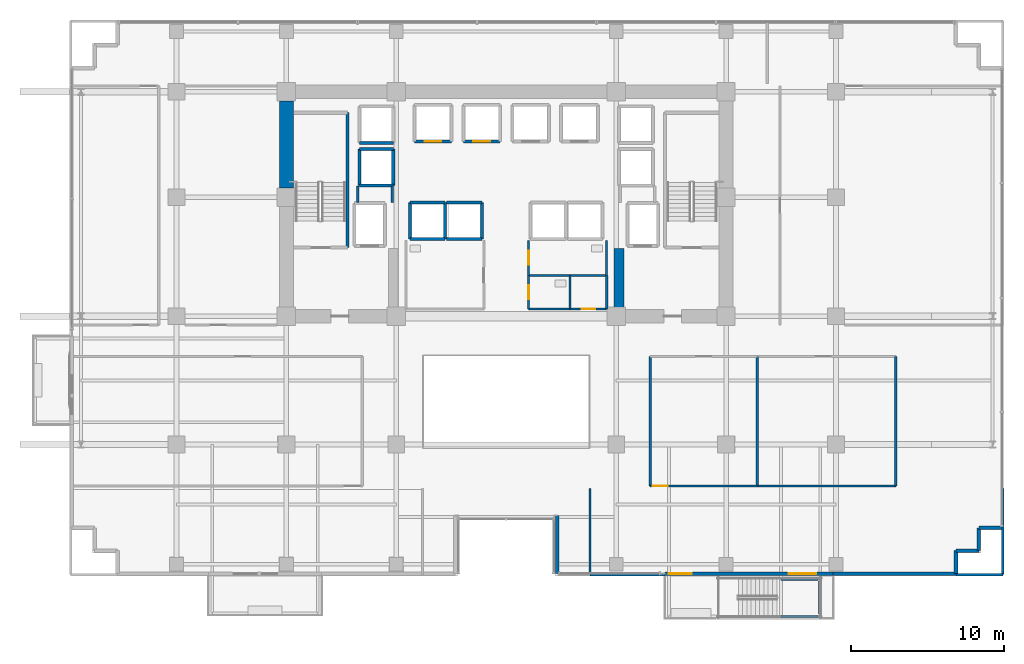
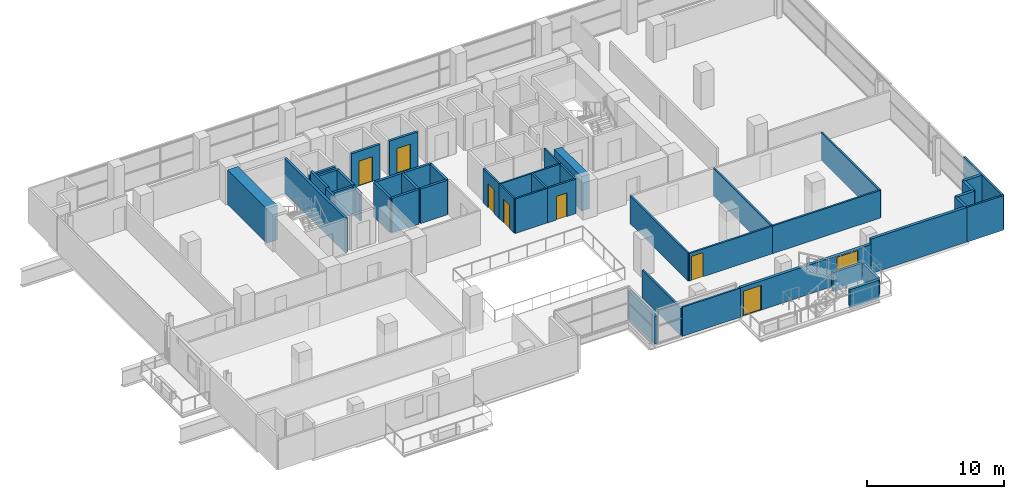
# One storey, part 25 of 31: 46 walls, 7 doors, 1 window, 8 openings.
"""IFC4 building model written with IfcOpenShell, lengths in metres."""

from ifc_helpers import new_model, si_unit, direction, frame, frame_2d, origin, place, context, subcontext, project, spatial, rectangle, extrude, source, transform, mapped, material, layer, layer_set, type_object, element, fill, save


model = new_model("IFC4")

# Units and contexts
model_context = context("Model", 3, precision=1e-05, world=origin(), true_north=direction((0.0, 1.0)))
body_context = subcontext(model_context, "Body", "Model", "MODEL_VIEW")
ifc_project = project(units=[si_unit("LENGTHUNIT", "METRE"), si_unit("AREAUNIT", "SQUARE_METRE"), si_unit("VOLUMEUNIT", "CUBIC_METRE"), si_unit("PLANEANGLEUNIT", "RADIAN"), si_unit("MASSUNIT", "GRAM", prefix="KILO")], contexts=[model_context])

# Site, building, storey
site_placement = place(None, origin())
site = spatial("IfcSite", under=ifc_project, at=site_placement, CompositionType="ELEMENT")
building_placement = place(site_placement, origin())
building = spatial("IfcBuilding", under=site, at=building_placement, Name="Zarnakvel Exchange Tower", CompositionType="ELEMENT")
storey_placement = place(building_placement, frame((0.0, 0.0, 53.800048828125)))
storey = spatial("IfcBuildingStorey", under=building, at=storey_placement, Name="L14", CompositionType="ELEMENT", Elevation=53.800048828125)

# Walls
ifc_material_1 = material(Name="Concrete C80/95", Category="concrete")
ifc_layer_1 = layer(ifc_material_1, 0.89990234375)
ifc_layer_set_1 = layer_set([ifc_layer_1], Name="Concrete C80/95")
wall_type_1 = type_object("IfcWallType", Name="CW-C1", PredefinedType="SHEAR", material=ifc_layer_set_1)
wall_1_placement = place(storey_placement, frame((-14.39990234375, 7.199951171875, 0.0), z_axis=(0.0, 0.0, 1.0), x_axis=(0.0, 1.0, 0.0)))
element("IfcWall", 1, at=wall_1_placement, inside=storey, type_object=wall_type_1, Name="L14 Rear Core Shear Wall W2 (CW-C1)", PredefinedType="SHEAR", context=body_context, shape_type="SweptSolid", body=[
    extrude(rectangle(XDim=5.699951171875, YDim=0.89990234375, at=frame_2d((2.85009765625, 0.0))), origin(), (0.0, 0.0, 1.0), 3.074951171875),
])
ifc_layer_2 = layer(ifc_material_1, 0.64990234375)
ifc_layer_set_2 = layer_set([ifc_layer_2], Name="Concrete C80/95")
wall_type_2 = type_object("IfcWallType", Name="CW-C2", PredefinedType="SHEAR", material=ifc_layer_set_2)
wall_2_placement = place(storey_placement, frame((7.39990234375, -0.75, 0.0), z_axis=(0.0, 0.0, 1.0), x_axis=(0.0, 1.0, 0.0)))
element("IfcWall", 2, at=wall_2_placement, inside=storey, type_object=wall_type_2, Name="L14 Rear Core Shear Wall IE (CW-C2)", PredefinedType="SHEAR", context=body_context, shape_type="SweptSolid", body=[
    extrude(rectangle(XDim=4.0, YDim=0.64990234375, at=frame_2d((2.0, 0.0))), origin(), (0.0, 0.0, 1.0), 3.074951171875),
])

# Wall, openings, door, window
ifc_material_2 = material(Name="Precast concrete C40/50", Category="concrete")
ifc_layer_3 = layer(ifc_material_2, 0.239990234375)
ifc_layer_set_3 = layer_set([ifc_layer_3], Name="Precast concrete C40/50")
wall_type_3 = type_object("IfcWallType", Name="EW-02", PredefinedType="SOLIDWALL", material=ifc_layer_set_3)
wall_3_placement = place(storey_placement, frame((21.39990234375, -18.06005859375, 0.0), z_axis=(0.0, 0.0, 1.0), x_axis=(-1.0, 0.0, 0.0)))
wall_3 = element("IfcWall", 3, at=wall_3_placement, inside=storey, type_object=wall_type_3, Name="L14 Exterior Precast Spandrel Wall EW-SPTER-L14 (EW-02)", PredefinedType="SOLIDWALL", context=body_context, shape_type="SweptSolid", body=[
    extrude(rectangle(XDim=11.0, YDim=0.239990234375, at=frame_2d((5.5, 0.0))), origin(), (0.0, 0.0, 1.0), 2.58984375),
])
opening_1_placement = place(wall_3_placement, frame((9.25, 0.0, 0.0)))
opening_1 = element("IfcOpeningElement", 4, at=opening_1_placement, cuts=wall_3, Name="Opening TD-L14-SP", PredefinedType="OPENING", context=body_context, shape_type="SweptSolid", body=[
    extrude(rectangle(XDim=1.5, YDim=2.199951171875, at=frame_2d((0.75, 1.10009765625))), frame((0.0, 0.1298828125, 0.0), z_axis=(0.0, -1.0, 0.0), x_axis=(1.0, 0.0, 0.0)), (0.0, 0.0, 1.0), 0.260009765625),
])
opening_2_placement = place(wall_3_placement, frame((1.10009765625, 0.0, 0.85009765625)))
opening_2 = element("IfcOpeningElement", 5, at=opening_2_placement, cuts=wall_3, Name="Opening WN-05", PredefinedType="OPENING", context=body_context, shape_type="SweptSolid", body=[
    extrude(rectangle(XDim=1.800048828125, YDim=1.60009765625, at=frame_2d((0.89990234375, 0.800048828125))), frame((0.0, 0.1298828125, 0.0), z_axis=(0.0, -1.0, 0.0), x_axis=(1.0, 0.0, 0.0)), (0.0, 0.0, 1.0), 0.260009765625),
])
ifc_material_3 = material(Name="Architectural Bronze Anodised Aluminium", Category="aluminium")
door_type_1 = type_object("IfcDoorType", Name="DT-10", OperationType="NOTDEFINED", PredefinedType="DOOR", material=ifc_material_3)
shared_shape_1 = source(origin(), body_context, "Body", "SweptSolid", [
    extrude(rectangle(XDim=1.5, YDim=2.199951171875, at=frame_2d((0.75, 1.10009765625))), frame((0.0, 0.02490234375, 0.0), z_axis=(0.0, -1.0, 0.0), x_axis=(1.0, 0.0, 0.0)), (0.0, 0.0, 1.0), 0.050048828125),
])
door_1_placement = place(opening_1_placement, origin())
door_1 = element("IfcDoor", 6, at=door_1_placement, inside=storey, type_object=door_type_1, Name="L14 Spiral Sky-Terrace Access Door TD-L14-SP", OperationType="DOUBLE_DOOR_SINGLE_SWING", OverallHeight=2.199951171875, OverallWidth=1.5, PredefinedType="DOOR", context=body_context, shape_type="MappedRepresentation", body=[
    mapped(shared_shape_1, transform((0.0, 0.0, 0.0), x_axis=(1.0, 0.0, 0.0), y_axis=(0.0, 1.0, 0.0), z_axis=(0.0, 0.0, 1.0), scale=1.0)),
])
fill(opening_1, door_1)
ifc_material_4 = material(Name="Double Low-E Laminated Vision Glass", Category="glass")
window_type = type_object("IfcWindowType", Name="WN-05", PartitioningType="SINGLE_PANEL", PredefinedType="WINDOW", material=ifc_material_4)
shared_shape_2 = source(origin(), body_context, "Body", "SweptSolid", [
    extrude(rectangle(XDim=1.800048828125, YDim=1.60009765625, at=frame_2d((0.89990234375, 0.800048828125))), frame((0.0, 0.030029296875, 0.0), z_axis=(0.0, -1.0, 0.0), x_axis=(1.0, 0.0, 0.0)), (0.0, 0.0, 1.0), 0.06005859375),
])
window_placement = place(opening_2_placement, origin())
window = element("IfcWindow", 7, at=window_placement, inside=storey, type_object=window_type, Name="L14 Spiral Sky-Terrace Lounge Window", OverallHeight=1.60009765625, OverallWidth=1.800048828125, PartitioningType="SINGLE_PANEL", PredefinedType="WINDOW", context=body_context, shape_type="MappedRepresentation", body=[
    mapped(shared_shape_2, transform((0.0, 0.0, 0.0), x_axis=(1.0, 0.0, 0.0), y_axis=(0.0, 1.0, 0.0), z_axis=(0.0, 0.0, 1.0), scale=1.0)),
])
fill(opening_2, window)

# Walls
for number, where, z_axis, x_axis, name in (
    (8, (30.9599609375, -15.06005859375, 0.0), (0.0, 0.0, 1.0), (1.0, 0.0, 0.0), "L14 Exterior Precast Spandrel Wall EWC-L14-11 (EW-02)"),
    (9, (30.9599609375, -16.56005859375, 0.0), (0.0, 0.0, 1.0), (0.0, 1.0, 0.0), "L14 Exterior Precast Spandrel Wall EWC-L14-12 (EW-02)"),
    (10, (29.4599609375, -16.56005859375, 0.0), (0.0, 0.0, 1.0), (1.0, 0.0, 0.0), "L14 Exterior Precast Spandrel Wall EWC-L14-13 (EW-02)"),
    (11, (29.4599609375, -18.06005859375, 0.0), (0.0, 0.0, 1.0), (0.0, 1.0, 0.0), "L14 Exterior Precast Spandrel Wall EWC-L14-14 (EW-02)"),
):
    element("IfcWall", number, at=place(storey_placement, frame(where, z_axis=z_axis, x_axis=x_axis)), inside=storey, type_object=wall_type_3, Name=name, PredefinedType="SOLIDWALL", context=body_context, shape_type="SweptSolid", body=[
        extrude(rectangle(XDim=1.5, YDim=0.239990234375, at=frame_2d((0.75, 0.0))), origin(), (0.0, 0.0, 1.0), 3.074951171875),
    ])
wall_4_placement = place(storey_placement, frame((21.39990234375, -18.06005859375, 0.0), z_axis=(0.0, 0.0, 1.0), x_axis=(1.0, 0.0, 0.0)))
element("IfcWall", 12, at=wall_4_placement, inside=storey, type_object=wall_type_3, Name="L14 Exterior Precast Spandrel Wall EWC-L14-15 (EW-02)", PredefinedType="SOLIDWALL", context=body_context, shape_type="SweptSolid", body=[
    extrude(rectangle(XDim=8.06005859375, YDim=0.239990234375, at=frame_2d((4.030029296875, 0.0))), origin(), (0.0, 0.0, 1.0), 3.074951171875),
])
wall_5_placement = place(storey_placement, frame((3.340087890625, -14.260009765625, 0.0), z_axis=(0.0, 0.0, 1.0), x_axis=(0.0, -1.0, 0.0)))
element("IfcWall", 13, at=wall_5_placement, inside=storey, type_object=wall_type_3, Name="L14 Exterior Precast Spandrel Wall EWC-L14-17 (EW-02)", PredefinedType="SOLIDWALL", context=body_context, shape_type="SweptSolid", body=[
    extrude(rectangle(XDim=3.800048828125, YDim=0.239990234375, at=frame_2d((1.89990234375, 0.0))), origin(), (0.0, 0.0, 1.0), 2.46484375),
])

# Wall, opening, door
ifc_material_5 = material(Name="Fire-Rated Gypsum Stud Partition", Category="gypsum")
ifc_layer_4 = layer(ifc_material_5, 0.14990234375)
ifc_layer_set_4 = layer_set([ifc_layer_4], Name="Fire-Rated Gypsum Stud Partition")
wall_type_4 = type_object("IfcWallType", Name="PT-01", PredefinedType="PARTITIONING", material=ifc_layer_set_4)
wall_6_placement = place(storey_placement, frame((6.580078125, -0.72998046875, 0.0), z_axis=(0.0, 0.0, 1.0), x_axis=(-1.0, 0.0, 0.0)))
wall_6 = element("IfcWall", 14, at=wall_6_placement, inside=storey, type_object=wall_type_4, Name="L14 Partition Wall PWALL-L14-020 (PT-01)", PredefinedType="PARTITIONING", context=body_context, shape_type="SweptSolid", body=[
    extrude(rectangle(XDim=2.400146484375, YDim=0.14990234375, at=frame_2d((1.2001953125, 0.0))), origin(), (0.0, 0.0, 1.0), 3.074951171875),
])
opening_3_placement = place(wall_6_placement, frame((0.760009765625, 0.0, 0.0)))
opening_3 = element("IfcOpeningElement", 15, at=opening_3_placement, cuts=wall_6, Name="Opening D-L14-08", PredefinedType="OPENING", context=body_context, shape_type="SweptSolid", body=[
    extrude(rectangle(XDim=0.8798828125, YDim=2.10009765625, at=frame_2d((0.43994140625, 1.050048828125))), frame((0.0, 0.0849609375, 0.0), z_axis=(0.0, -1.0, 0.0), x_axis=(1.0, 0.0, 0.0)), (0.0, 0.0, 1.0), 0.169921875),
])
ifc_material_6 = material(Name="Painted Galvanised Steel S355", Category="steel")
door_type_2 = type_object("IfcDoorType", Name="DT-08", OperationType="NOTDEFINED", PredefinedType="DOOR", material=ifc_material_6)
shared_shape_3 = source(origin(), body_context, "Body", "SweptSolid", [
    extrude(rectangle(XDim=0.8798828125, YDim=2.10009765625, at=frame_2d((0.43994140625, 1.050048828125))), frame((0.0, 0.02490234375, 0.0), z_axis=(0.0, -1.0, 0.0), x_axis=(1.0, 0.0, 0.0)), (0.0, 0.0, 1.0), 0.050048828125),
])
door_2_placement = place(opening_3_placement, origin())
door_2 = element("IfcDoor", 16, at=door_2_placement, inside=storey, type_object=door_type_2, Name="L14 Cleaners Store Door D-L14-08", OperationType="SINGLE_SWING_RIGHT", OverallHeight=2.10009765625, OverallWidth=0.8798828125, PredefinedType="DOOR", context=body_context, shape_type="MappedRepresentation", body=[
    mapped(shared_shape_3, transform((0.0, 0.0, 0.0), x_axis=(1.0, 0.0, 0.0), y_axis=(0.0, 1.0, 0.0), z_axis=(0.0, 0.0, 1.0), scale=1.0)),
])
fill(opening_3, door_2)

# Wall
wall_7_placement = place(storey_placement, frame((6.580078125, 1.47998046875, 0.0), z_axis=(0.0, 0.0, 1.0), x_axis=(0.0, -1.0, 0.0)))
element("IfcWall", 17, at=wall_7_placement, inside=storey, type_object=wall_type_4, Name="L14 Partition Wall PWALL-L14-021 (PT-01)", PredefinedType="PARTITIONING", context=body_context, shape_type="SweptSolid", body=[
    extrude(rectangle(XDim=2.2099609375, YDim=0.14990234375, at=frame_2d((1.10498046875, 0.0))), origin(), (0.0, 0.0, 1.0), 3.074951171875),
])

# Wall, opening, door
wall_8_placement = place(storey_placement, frame((16.444580078125, -12.320068359375, 0.0), z_axis=(0.0, 0.0, 1.0), x_axis=(-1.0, 0.0, 0.0)))
wall_8 = element("IfcWall", 18, at=wall_8_placement, inside=storey, type_object=wall_type_4, Name="L14 Partition Wall PWALL-L14-029 (PT-01)", PredefinedType="PARTITIONING", context=body_context, shape_type="SweptSolid", body=[
    extrude(rectangle(XDim=7.0146484375, YDim=0.14990234375, at=frame_2d((3.50732421875, 0.0))), origin(), (0.0, 0.0, 1.0), 2.46484375),
])
opening_4_placement = place(wall_8_placement, frame((5.8544921875, 0.0, 0.0)))
opening_4 = element("IfcOpeningElement", 19, at=opening_4_placement, cuts=wall_8, Name="Opening D-L14-13", PredefinedType="OPENING", context=body_context, shape_type="SweptSolid", body=[
    extrude(rectangle(XDim=0.97998046875, YDim=2.14990234375, at=frame_2d((0.489990234375, 1.074951171875))), frame((0.0, 0.0849609375, 0.0), z_axis=(0.0, -1.0, 0.0), x_axis=(1.0, 0.0, 0.0)), (0.0, 0.0, 1.0), 0.169921875),
])
ifc_material_7 = material(Name="Timber Acoustic Veneer", Category="wood")
door_type_3 = type_object("IfcDoorType", Name="DT-05", OperationType="NOTDEFINED", PredefinedType="DOOR", material=ifc_material_7)
shared_shape_4 = source(origin(), body_context, "Body", "SweptSolid", [
    extrude(rectangle(XDim=0.97998046875, YDim=2.14990234375, at=frame_2d((0.489990234375, 1.074951171875))), frame((0.0, 0.02490234375, 0.0), z_axis=(0.0, -1.0, 0.0), x_axis=(1.0, 0.0, 0.0)), (0.0, 0.0, 1.0), 0.050048828125),
])
door_3_placement = place(opening_4_placement, origin())
door_3 = element("IfcDoor", 20, at=door_3_placement, inside=storey, type_object=door_type_3, Name="L14 Brokerage Office Door D-L14-13", OperationType="SINGLE_SWING_LEFT", OverallHeight=2.14990234375, OverallWidth=0.97998046875, PredefinedType="DOOR", context=body_context, shape_type="MappedRepresentation", body=[
    mapped(shared_shape_4, transform((0.0, 0.0, 0.0), x_axis=(1.0, 0.0, 0.0), y_axis=(0.0, 1.0, 0.0), z_axis=(0.0, 0.0, 1.0), scale=1.0)),
])
fill(opening_4, door_3)

# Walls
for number, where, z_axis, x_axis, name in (
    (21, (9.429931640625, -12.320068359375, 0.0), (0.0, 0.0, 1.0), (0.0, 1.0, 0.0), "L14 Partition Wall PWALL-L14-031 (PT-01)"),
    (22, (16.444580078125, -3.830078125, 0.0), (0.0, 0.0, 1.0), (0.0, -1.0, 0.0), "L14 Partition Wall PWALL-L14-032 (PT-01)"),
):
    element("IfcWall", number, at=place(storey_placement, frame(where, z_axis=z_axis, x_axis=x_axis)), inside=storey, type_object=wall_type_4, Name=name, PredefinedType="PARTITIONING", context=body_context, shape_type="SweptSolid", body=[
        extrude(rectangle(XDim=8.489990234375, YDim=0.14990234375, at=frame_2d((4.2451171875, 0.0))), origin(), (0.0, 0.0, 1.0), 2.46484375),
    ])
wall_9_placement = place(storey_placement, frame((25.515380859375, -12.320068359375, 0.0), z_axis=(0.0, 0.0, 1.0), x_axis=(-1.0, 0.0, 0.0)))
element("IfcWall", 23, at=wall_9_placement, inside=storey, type_object=wall_type_4, Name="L14 Partition Wall PWALL-L14-033 (PT-01)", PredefinedType="PARTITIONING", context=body_context, shape_type="SweptSolid", body=[
    extrude(rectangle(XDim=9.07080078125, YDim=0.14990234375, at=frame_2d((4.535400390625, 0.0))), origin(), (0.0, 0.0, 1.0), 2.46484375),
])
wall_10_placement = place(storey_placement, frame((25.515380859375, -3.830078125, 0.0), z_axis=(0.0, 0.0, 1.0), x_axis=(0.0, -1.0, 0.0)))
element("IfcWall", 24, at=wall_10_placement, inside=storey, type_object=wall_type_4, Name="L14 Partition Wall PWALL-L14-035 (PT-01)", PredefinedType="PARTITIONING", context=body_context, shape_type="SweptSolid", body=[
    extrude(rectangle(XDim=8.489990234375, YDim=0.14990234375, at=frame_2d((4.2451171875, 0.0))), origin(), (0.0, 0.0, 1.0), 2.46484375),
])
wall_11_placement = place(storey_placement, frame((10.39990234375, -18.1298828125, 0.0), z_axis=(0.0, 0.0, 1.0), x_axis=(-1.0, 0.0, 0.0)))
element("IfcWall", 25, at=wall_11_placement, inside=storey, type_object=wall_type_4, Name="L14 Partition Wall PWALL-L14-036 (PT-01)", PredefinedType="PARTITIONING", context=body_context, shape_type="SweptSolid", body=[
    extrude(rectangle(XDim=4.919921875, YDim=0.14990234375, at=frame_2d((2.4599609375, 0.0))), origin(), (0.0, 0.0, 1.0), 2.58984375),
])
wall_12_placement = place(storey_placement, frame((32.530029296875, -18.1298828125, 0.0), z_axis=(0.0, 0.0, 1.0), x_axis=(-1.0, 0.0, 0.0)))
element("IfcWall", 26, at=wall_12_placement, inside=storey, type_object=wall_type_4, Name="L14 Partition Wall PWALL-L14-037 (PT-01)", PredefinedType="PARTITIONING", context=body_context, shape_type="SweptSolid", body=[
    extrude(rectangle(XDim=3.070068359375, YDim=0.14990234375, at=frame_2d((1.53515625, 0.0))), origin(), (0.0, 0.0, 1.0), 3.074951171875),
])
wall_13_placement = place(storey_placement, frame((5.47998046875, -18.1298828125, 0.0), z_axis=(0.0, 0.0, 1.0), x_axis=(0.0, 1.0, 0.0)))
element("IfcWall", 27, at=wall_13_placement, inside=storey, type_object=wall_type_4, Name="L14 Partition Wall PWALL-L14-038 (PT-01)", PredefinedType="PARTITIONING", context=body_context, shape_type="SweptSolid", body=[
    extrude(rectangle(XDim=5.64990234375, YDim=0.14990234375, at=frame_2d((2.824951171875, 0.0))), origin(), (0.0, 0.0, 1.0), 2.46484375),
])
wall_14_placement = place(storey_placement, frame((32.530029296875, -12.47998046875, 0.0), z_axis=(0.0, 0.0, 1.0), x_axis=(0.0, -1.0, 0.0)))
element("IfcWall", 28, at=wall_14_placement, inside=storey, type_object=wall_type_4, Name="L14 Partition Wall PWALL-L14-039 (PT-01)", PredefinedType="PARTITIONING", context=body_context, shape_type="SweptSolid", body=[
    extrude(rectangle(XDim=5.64990234375, YDim=0.14990234375, at=frame_2d((2.824951171875, 0.0))), origin(), (0.0, 0.0, 1.0), 3.074951171875),
])
ifc_layer_5 = layer(ifc_material_5, 0.179931640625)
ifc_layer_set_5 = layer_set([ifc_layer_5], Name="Fire-Rated Gypsum Stud Partition")
wall_type_5 = type_object("IfcWallType", Name="PT-02", PredefinedType="PARTITIONING", material=ifc_layer_set_5)
wall_15_placement = place(storey_placement, frame((-9.72998046875, 6.239990234375, 0.0), z_axis=(0.0, 0.0, 1.0), x_axis=(0.0, 1.0, 0.0)))
element("IfcWall", 29, at=wall_15_placement, inside=storey, type_object=wall_type_5, Name="L14 Partition Wall PWALL-L14-007 (PT-02)", PredefinedType="PARTITIONING", context=body_context, shape_type="SweptSolid", body=[
    extrude(rectangle(XDim=1.090087890625, YDim=0.179931640625, at=frame_2d((0.544921875, 0.0))), origin(), (0.0, 0.0, 1.0), 3.074951171875),
])
wall_16_placement = place(storey_placement, frame((-7.469970703125, 7.330078125, 0.0), z_axis=(0.0, 0.0, 1.0), x_axis=(0.0, -1.0, 0.0)))
element("IfcWall", 30, at=wall_16_placement, inside=storey, type_object=wall_type_5, Name="L14 Partition Wall PWALL-L14-008 (PT-02)", PredefinedType="PARTITIONING", context=body_context, shape_type="SweptSolid", body=[
    extrude(rectangle(XDim=1.090087890625, YDim=0.179931640625, at=frame_2d((0.544921875, 0.0))), origin(), (0.0, 0.0, 1.0), 2.46484375),
])
ifc_material_8 = material(Name="Moisture-Resistant Tile-Faced Partition", Category="gypsum")
ifc_layer_6 = layer(ifc_material_8, 0.135009765625)
ifc_layer_set_6 = layer_set([ifc_layer_6], Name="Moisture-Resistant Tile-Faced Partition")
wall_type_6 = type_object("IfcWallType", Name="PT-03", PredefinedType="PARTITIONING", material=ifc_layer_set_6)
wall_17_placement = place(storey_placement, frame((6.580078125, 1.47998046875, 0.0), z_axis=(0.0, 0.0, 1.0), x_axis=(-1.0, 0.0, 0.0)))
element("IfcWall", 31, at=wall_17_placement, inside=storey, type_object=wall_type_6, Name="L14 Partition Wall PWALL-L14-014 (PT-03)", PredefinedType="PARTITIONING", context=body_context, shape_type="SweptSolid", body=[
    extrude(rectangle(XDim=5.110107421875, YDim=0.135009765625, at=frame_2d((2.55517578125, 0.0))), origin(), (0.0, 0.0, 1.0), 3.074951171875),
])

# Wall, opening, door
wall_18_placement = place(storey_placement, frame((1.469970703125, 1.47998046875, 0.0), z_axis=(0.0, 0.0, 1.0), x_axis=(0.0, 1.0, 0.0)))
wall_18 = element("IfcWall", 32, at=wall_18_placement, inside=storey, type_object=wall_type_6, Name="L14 Partition Wall PWALL-L14-015 (PT-03)", PredefinedType="PARTITIONING", context=body_context, shape_type="SweptSolid", body=[
    extrude(rectangle(XDim=2.280029296875, YDim=0.135009765625, at=frame_2d((1.14013671875, 0.0))), origin(), (0.0, 0.0, 1.0), 3.074951171875),
])
opening_5_placement = place(wall_18_placement, frame((0.679931640625, 0.0, 0.0)))
opening_5 = element("IfcOpeningElement", 33, at=opening_5_placement, cuts=wall_18, Name="Opening D-L14-06", PredefinedType="OPENING", context=body_context, shape_type="SweptSolid", body=[
    extrude(rectangle(XDim=0.919921875, YDim=2.10009765625, at=frame_2d((0.4599609375, 1.050048828125))), frame((0.0, 0.077392578125, 0.0), z_axis=(0.0, -1.0, 0.0), x_axis=(1.0, 0.0, 0.0)), (0.0, 0.0, 1.0), 0.155029296875),
])
ifc_material_9 = material(Name="Moisture-Resistant Laminate Timber", Category="wood")
door_type_4 = type_object("IfcDoorType", Name="DT-07", OperationType="NOTDEFINED", PredefinedType="DOOR", material=ifc_material_9)
shared_shape_5 = source(origin(), body_context, "Body", "SweptSolid", [
    extrude(rectangle(XDim=0.919921875, YDim=2.10009765625, at=frame_2d((0.4599609375, 1.050048828125))), frame((0.0, 0.02490234375, 0.0), z_axis=(0.0, -1.0, 0.0), x_axis=(1.0, 0.0, 0.0)), (0.0, 0.0, 1.0), 0.050048828125),
])
door_4_placement = place(opening_5_placement, origin())
door_4 = element("IfcDoor", 34, at=door_4_placement, inside=storey, type_object=door_type_4, Name="L14 Female Toilet Door D-L14-06", OperationType="SINGLE_SWING_RIGHT", OverallHeight=2.10009765625, OverallWidth=0.919921875, PredefinedType="DOOR", context=body_context, shape_type="MappedRepresentation", body=[
    mapped(shared_shape_5, transform((0.0, 0.0, 0.0), x_axis=(1.0, 0.0, 0.0), y_axis=(0.0, 1.0, 0.0), z_axis=(0.0, 0.0, 1.0), scale=1.0)),
])
fill(opening_5, door_4)

# Walls
wall_19_placement = place(storey_placement, frame((6.580078125, 3.760009765625, 0.0), z_axis=(0.0, 0.0, 1.0), x_axis=(0.0, -1.0, 0.0)))
element("IfcWall", 35, at=wall_19_placement, inside=storey, type_object=wall_type_6, Name="L14 Partition Wall PWALL-L14-016 (PT-03)", PredefinedType="PARTITIONING", context=body_context, shape_type="SweptSolid", body=[
    extrude(rectangle(XDim=2.280029296875, YDim=0.135009765625, at=frame_2d((1.14013671875, 0.0))), origin(), (0.0, 0.0, 1.0), 3.074951171875),
])
wall_20_placement = place(storey_placement, frame((4.179931640625, -0.72998046875, 0.0), z_axis=(0.0, 0.0, 1.0), x_axis=(-1.0, 0.0, 0.0)))
element("IfcWall", 36, at=wall_20_placement, inside=storey, type_object=wall_type_6, Name="L14 Partition Wall PWALL-L14-017 (PT-03)", PredefinedType="PARTITIONING", context=body_context, shape_type="SweptSolid", body=[
    extrude(rectangle(XDim=2.7099609375, YDim=0.135009765625, at=frame_2d((1.35498046875, 0.0))), origin(), (0.0, 0.0, 1.0), 3.074951171875),
])

# Wall, opening, door
wall_21_placement = place(storey_placement, frame((1.469970703125, -0.72998046875, 0.0), z_axis=(0.0, 0.0, 1.0), x_axis=(0.0, 1.0, 0.0)))
wall_21 = element("IfcWall", 37, at=wall_21_placement, inside=storey, type_object=wall_type_6, Name="L14 Partition Wall PWALL-L14-018 (PT-03)", PredefinedType="PARTITIONING", context=body_context, shape_type="SweptSolid", body=[
    extrude(rectangle(XDim=2.2099609375, YDim=0.135009765625, at=frame_2d((1.10498046875, 0.0))), origin(), (0.0, 0.0, 1.0), 3.074951171875),
])
opening_6_placement = place(wall_21_placement, frame((0.64990234375, 0.0, 0.0)))
opening_6 = element("IfcOpeningElement", 38, at=opening_6_placement, cuts=wall_21, Name="Opening D-L14-07", PredefinedType="OPENING", context=body_context, shape_type="SweptSolid", body=[
    extrude(rectangle(XDim=0.919921875, YDim=2.10009765625, at=frame_2d((0.4599609375, 1.050048828125))), frame((0.0, 0.077392578125, 0.0), z_axis=(0.0, -1.0, 0.0), x_axis=(1.0, 0.0, 0.0)), (0.0, 0.0, 1.0), 0.155029296875),
])
door_5_placement = place(opening_6_placement, origin())
door_5 = element("IfcDoor", 39, at=door_5_placement, inside=storey, type_object=door_type_4, Name="L14 Accessible Toilet Door D-L14-07", OperationType="SINGLE_SWING_LEFT", OverallHeight=2.10009765625, OverallWidth=0.919921875, PredefinedType="DOOR", context=body_context, shape_type="MappedRepresentation", body=[
    mapped(shared_shape_5, transform((0.0, 0.0, 0.0), x_axis=(1.0, 0.0, 0.0), y_axis=(0.0, 1.0, 0.0), z_axis=(0.0, 0.0, 1.0), scale=1.0)),
])
fill(opening_6, door_5)

# Wall
wall_22_placement = place(storey_placement, frame((4.179931640625, 1.47998046875, 0.0), z_axis=(0.0, 0.0, 1.0), x_axis=(0.0, -1.0, 0.0)))
element("IfcWall", 40, at=wall_22_placement, inside=storey, type_object=wall_type_6, Name="L14 Partition Wall PWALL-L14-019 (PT-03)", PredefinedType="PARTITIONING", context=body_context, shape_type="SweptSolid", body=[
    extrude(rectangle(XDim=2.2099609375, YDim=0.135009765625, at=frame_2d((1.10498046875, 0.0))), origin(), (0.0, 0.0, 1.0), 3.074951171875),
])

# Wall, opening, door
ifc_material_10 = material(Name="Concrete C40/50", Category="concrete")
ifc_layer_7 = layer(ifc_material_10, 0.199951171875)
ifc_layer_set_7 = layer_set([ifc_layer_7], Name="Concrete C40/50")
wall_type_7 = type_object("IfcWallType", Name="SW-01", PredefinedType="SOLIDWALL", material=ifc_layer_set_7)
wall_23_placement = place(storey_placement, frame((-3.60009765625, 10.25, 0.0), z_axis=(0.0, 0.0, 1.0), x_axis=(-1.0, 0.0, 0.0)))
wall_23 = element("IfcWall", 41, at=wall_23_placement, inside=storey, type_object=wall_type_7, Name="L14 PL-01 Hoistway Wall South", PredefinedType="SOLIDWALL", context=body_context, shape_type="SweptSolid", body=[
    extrude(rectangle(XDim=2.39990234375, YDim=0.199951171875, at=frame_2d((1.199951171875, 0.0))), origin(), (0.0, 0.0, 1.0), 3.074951171875),
])
opening_7_placement = place(wall_23_placement, frame((0.64990234375, 0.0, 0.0)))
opening_7 = element("IfcOpeningElement", 42, at=opening_7_placement, cuts=wall_23, Name="Opening LD-PL-01-L14", PredefinedType="OPENING", context=body_context, shape_type="SweptSolid", body=[
    extrude(rectangle(XDim=1.10009765625, YDim=2.199951171875, at=frame_2d((0.550048828125, 1.10009765625))), frame((0.0, 0.10986328125, 0.0), z_axis=(0.0, -1.0, 0.0), x_axis=(1.0, 0.0, 0.0)), (0.0, 0.0, 1.0), 0.219970703125),
])
door_type_5 = type_object("IfcDoorType", Name="LDT-02", OperationType="NOTDEFINED", PredefinedType="DOOR", material=ifc_material_3)
shared_shape_6 = source(origin(), body_context, "Body", "SweptSolid", [
    extrude(rectangle(XDim=1.10009765625, YDim=2.199951171875, at=frame_2d((0.550048828125, 1.10009765625))), frame((0.0, 0.02490234375, 0.0), z_axis=(0.0, -1.0, 0.0), x_axis=(1.0, 0.0, 0.0)), (0.0, 0.0, 1.0), 0.050048828125),
])
door_6_placement = place(opening_7_placement, origin())
door_6 = element("IfcDoor", 43, at=door_6_placement, inside=storey, type_object=door_type_5, Name="L14 PL-01 Lift Landing Door LD-PL-01-L14", OperationType="DOUBLE_DOOR_SLIDING", OverallHeight=2.199951171875, OverallWidth=1.10009765625, PredefinedType="DOOR", context=body_context, shape_type="MappedRepresentation", body=[
    mapped(shared_shape_6, transform((0.0, 0.0, 0.0), x_axis=(1.0, 0.0, 0.0), y_axis=(0.0, 1.0, 0.0), z_axis=(0.0, 0.0, 1.0), scale=1.0)),
])
fill(opening_7, door_6)

wall_24_placement = place(storey_placement, frame((-0.39990234375, 10.25, 0.0), z_axis=(0.0, 0.0, 1.0), x_axis=(-1.0, 0.0, 0.0)))
wall_24 = element("IfcWall", 44, at=wall_24_placement, inside=storey, type_object=wall_type_7, Name="L14 PL-02 Hoistway Wall South", PredefinedType="SOLIDWALL", context=body_context, shape_type="SweptSolid", body=[
    extrude(rectangle(XDim=2.400146484375, YDim=0.199951171875, at=frame_2d((1.2001953125, 0.0))), origin(), (0.0, 0.0, 1.0), 3.074951171875),
])
opening_8_placement = place(wall_24_placement, frame((0.64990234375, 0.0, 0.0)))
opening_8 = element("IfcOpeningElement", 45, at=opening_8_placement, cuts=wall_24, Name="Opening LD-PL-02-L14", PredefinedType="OPENING", context=body_context, shape_type="SweptSolid", body=[
    extrude(rectangle(XDim=1.10009765625, YDim=2.199951171875, at=frame_2d((0.550048828125, 1.10009765625))), frame((0.0, 0.10986328125, 0.0), z_axis=(0.0, -1.0, 0.0), x_axis=(1.0, 0.0, 0.0)), (0.0, 0.0, 1.0), 0.219970703125),
])
door_7_placement = place(opening_8_placement, origin())
door_7 = element("IfcDoor", 46, at=door_7_placement, inside=storey, type_object=door_type_5, Name="L14 PL-02 Lift Landing Door LD-PL-02-L14", OperationType="DOUBLE_DOOR_SLIDING", OverallHeight=2.199951171875, OverallWidth=1.10009765625, PredefinedType="DOOR", context=body_context, shape_type="MappedRepresentation", body=[
    mapped(shared_shape_6, transform((0.0, 0.0, 0.0), x_axis=(1.0, 0.0, 0.0), y_axis=(0.0, 1.0, 0.0), z_axis=(0.0, 0.0, 1.0), scale=1.0)),
])
fill(opening_8, door_7)

# Walls
for number, where, z_axis, x_axis, name in (
    (47, (-4.0, 3.85009765625, 0.0), (0.0, 0.0, 1.0), (-1.0, 0.0, 0.0), "L14 PL-05 Hoistway Wall South"),
    (48, (-6.300048828125, 6.25, 0.0), (0.0, 0.0, 1.0), (1.0, 0.0, 0.0), "L14 PL-05 Hoistway Wall North"),
):
    element("IfcWall", number, at=place(storey_placement, frame(where, z_axis=z_axis, x_axis=x_axis)), inside=storey, type_object=wall_type_7, Name=name, PredefinedType="SOLIDWALL", context=body_context, shape_type="SweptSolid", body=[
        extrude(rectangle(XDim=2.300048828125, YDim=0.199951171875, at=frame_2d((1.14990234375, 0.0))), origin(), (0.0, 0.0, 1.0), 3.074951171875),
    ])
for number, where, z_axis, x_axis, name in (
    (49, (-6.300048828125, 3.85009765625, 0.0), (0.0, 0.0, 1.0), (0.0, 1.0, 0.0), "L14 PL-05 Hoistway Wall West"),
    (50, (-4.0, 6.25, 0.0), (0.0, 0.0, 1.0), (0.0, -1.0, 0.0), "L14 PL-05 Hoistway Wall East"),
):
    element("IfcWall", number, at=place(storey_placement, frame(where, z_axis=z_axis, x_axis=x_axis)), inside=storey, type_object=wall_type_7, Name=name, PredefinedType="SOLIDWALL", context=body_context, shape_type="SweptSolid", body=[
        extrude(rectangle(XDim=2.39990234375, YDim=0.199951171875, at=frame_2d((1.199951171875, 0.0))), origin(), (0.0, 0.0, 1.0), 3.074951171875),
    ])
for number, where, z_axis, x_axis, name in (
    (51, (-1.60009765625, 3.85009765625, 0.0), (0.0, 0.0, 1.0), (-1.0, 0.0, 0.0), "L14 PL-06 Hoistway Wall South"),
    (52, (-3.89990234375, 6.25, 0.0), (0.0, 0.0, 1.0), (1.0, 0.0, 0.0), "L14 PL-06 Hoistway Wall North"),
):
    element("IfcWall", number, at=place(storey_placement, frame(where, z_axis=z_axis, x_axis=x_axis)), inside=storey, type_object=wall_type_7, Name=name, PredefinedType="SOLIDWALL", context=body_context, shape_type="SweptSolid", body=[
        extrude(rectangle(XDim=2.2998046875, YDim=0.199951171875, at=frame_2d((1.14990234375, 0.0))), origin(), (0.0, 0.0, 1.0), 3.074951171875),
    ])
wall_25_placement = place(storey_placement, frame((-1.60009765625, 6.25, 0.0), z_axis=(0.0, 0.0, 1.0), x_axis=(0.0, -1.0, 0.0)))
element("IfcWall", 53, at=wall_25_placement, inside=storey, type_object=wall_type_7, Name="L14 PL-06 Hoistway Wall East", PredefinedType="SOLIDWALL", context=body_context, shape_type="SweptSolid", body=[
    extrude(rectangle(XDim=2.39990234375, YDim=0.199951171875, at=frame_2d((1.199951171875, 0.0))), origin(), (0.0, 0.0, 1.0), 3.074951171875),
])
for number, where, z_axis, x_axis, name in (
    (54, (-7.39990234375, 7.35009765625, 0.0), (0.0, 0.0, 1.0), (-1.0, 0.0, 0.0), "L14 PL-09 Hoistway Wall South"),
    (55, (-9.60009765625, 9.75, 0.0), (0.0, 0.0, 1.0), (1.0, 0.0, 0.0), "L14 PL-09 Hoistway Wall North"),
):
    element("IfcWall", number, at=place(storey_placement, frame(where, z_axis=z_axis, x_axis=x_axis)), inside=storey, type_object=wall_type_7, Name=name, PredefinedType="SOLIDWALL", context=body_context, shape_type="SweptSolid", body=[
        extrude(rectangle(XDim=2.2001953125, YDim=0.199951171875, at=frame_2d((1.10009765625, 0.0))), origin(), (0.0, 0.0, 1.0), 2.46484375),
    ])
wall_26_placement = place(storey_placement, frame((-9.60009765625, 7.35009765625, 0.0), z_axis=(0.0, 0.0, 1.0), x_axis=(0.0, 1.0, 0.0)))
element("IfcWall", 56, at=wall_26_placement, inside=storey, type_object=wall_type_7, Name="L14 PL-09 Hoistway Wall West", PredefinedType="SOLIDWALL", context=body_context, shape_type="SweptSolid", body=[
    extrude(rectangle(XDim=2.39990234375, YDim=0.199951171875, at=frame_2d((1.199951171875, 0.0))), origin(), (0.0, 0.0, 1.0), 3.074951171875),
])
wall_27_placement = place(storey_placement, frame((-7.39990234375, 9.75, 0.0), z_axis=(0.0, 0.0, 1.0), x_axis=(0.0, -1.0, 0.0)))
element("IfcWall", 57, at=wall_27_placement, inside=storey, type_object=wall_type_7, Name="L14 PL-09 Hoistway Wall East", PredefinedType="SOLIDWALL", context=body_context, shape_type="SweptSolid", body=[
    extrude(rectangle(XDim=2.39990234375, YDim=0.199951171875, at=frame_2d((1.199951171875, 0.0))), origin(), (0.0, 0.0, 1.0), 2.46484375),
])
wall_28_placement = place(storey_placement, frame((-7.39990234375, 10.14990234375, 0.0), z_axis=(0.0, 0.0, 1.0), x_axis=(-1.0, 0.0, 0.0)))
element("IfcWall", 58, at=wall_28_placement, inside=storey, type_object=wall_type_7, Name="L14 PL-10 Hoistway Wall South", PredefinedType="SOLIDWALL", context=body_context, shape_type="SweptSolid", body=[
    extrude(rectangle(XDim=2.2001953125, YDim=0.199951171875, at=frame_2d((1.10009765625, 0.0))), origin(), (0.0, 0.0, 1.0), 2.46484375),
])
ifc_layer_8 = layer(ifc_material_10, 0.199951171875)
ifc_layer_set_8 = layer_set([ifc_layer_8], Name="Concrete C40/50")
wall_type_8 = type_object("IfcWallType", Name="SW-02", PredefinedType="SOLIDWALL", material=ifc_layer_set_8)
wall_29_placement = place(storey_placement, frame((20.570068359375, -20.719970703125, -0.25), z_axis=(0.0, 0.0, 1.0), x_axis=(0.0, 1.0, 0.0)))
element("IfcWall", 59, at=wall_29_placement, inside=storey, type_object=wall_type_8, Name="L14 Sky-Terrace Stair ST-08 Landing Plinth Wall E", PredefinedType="SOLIDWALL", context=body_context, shape_type="SweptSolid", body=[
    extrude(rectangle(XDim=2.179931640625, YDim=0.199951171875, at=frame_2d((1.08984375, 0.0))), origin(), (0.0, 0.0, 1.0), 1.699951171875),
])
for number, where, z_axis, x_axis, name in (
    (60, (18.0, -20.860107421875, -0.25), (0.0, 0.0, 1.0), (1.0, 0.0, 0.0), "L14 Sky-Terrace Stair ST-08 Landing Plinth Wall S"),
    (61, (18.0, -18.39990234375, -0.25), (0.0, 0.0, 1.0), (1.0, 0.0, 0.0), "L14 Sky-Terrace Stair ST-08 Landing Plinth Wall N"),
):
    element("IfcWall", number, at=place(storey_placement, frame(where, z_axis=z_axis, x_axis=x_axis)), inside=storey, type_object=wall_type_8, Name=name, PredefinedType="SOLIDWALL", context=body_context, shape_type="SweptSolid", body=[
        extrude(rectangle(XDim=2.429931640625, YDim=0.199951171875, at=frame_2d((1.21484375, 0.0))), origin(), (0.0, 0.0, 1.0), 1.699951171875),
    ])
wall_30_placement = place(storey_placement, frame((-10.409912109375, 12.1298828125, 0.0), z_axis=(0.0, 0.0, 1.0), x_axis=(0.0, -1.0, 0.0)))
element("IfcWall", 62, at=wall_30_placement, inside=storey, type_object=wall_type_8, Name="L14 Stairwell Core Wall PWALL-L14-003 (SW-02)", PredefinedType="SOLIDWALL", context=body_context, shape_type="SweptSolid", body=[
    extrude(rectangle(XDim=8.83984375, YDim=0.199951171875, at=frame_2d((4.419921875, 0.0))), origin(), (0.0, 0.0, 1.0), 3.074951171875),
])

save(model, "model.ifc")
